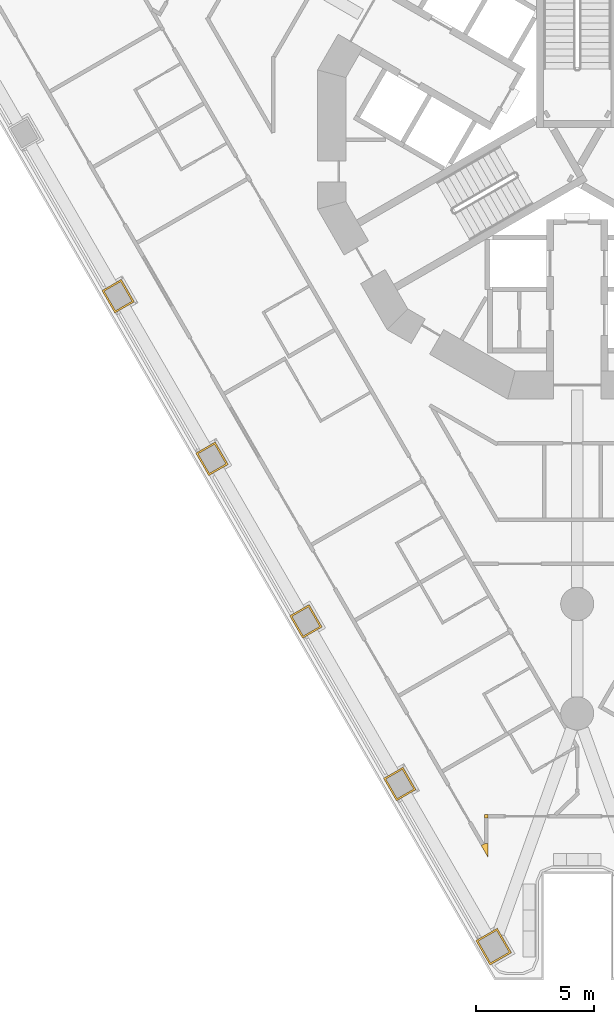
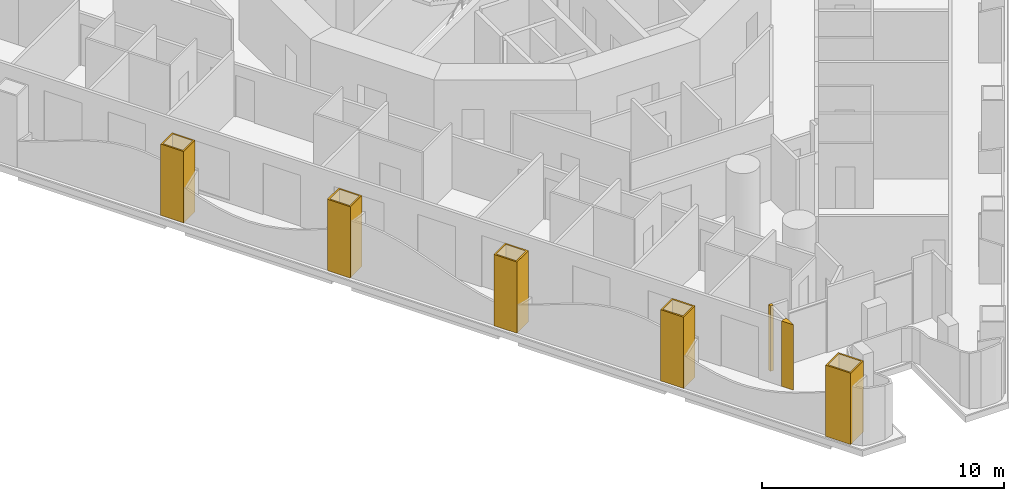
# One storey, part 12 of 20: 7 coverings.
"""IFC4 building model written with IfcOpenShell, lengths in metres."""

from ifc_helpers import new_model, si_unit, direction, frame, origin, place, context, subcontext, project, spatial, polyline, outline, extrude, material, layer, layer_set, type_object, element, save


model = new_model("IFC4")

# Units and contexts
model_context = context("Model", 3, precision=1e-05, world=origin(), true_north=direction((0.0, 1.0)))
body_context = subcontext(model_context, "Body", "Model", "MODEL_VIEW")
ifc_project = project(units=[si_unit("LENGTHUNIT", "METRE"), si_unit("AREAUNIT", "SQUARE_METRE"), si_unit("VOLUMEUNIT", "CUBIC_METRE"), si_unit("PLANEANGLEUNIT", "RADIAN"), si_unit("MASSUNIT", "GRAM", prefix="KILO")], contexts=[model_context])

# Site, building, storey
site_placement = place(None, origin())
site = spatial("IfcSite", under=ifc_project, at=site_placement, CompositionType="ELEMENT")
building_placement = place(site_placement, origin())
building = spatial("IfcBuilding", under=site, at=building_placement, Name="Trine Commons Tower", CompositionType="ELEMENT")
storey_placement = place(building_placement, frame((0.0, 0.0, 35.10009765625)))
storey = spatial("IfcBuildingStorey", under=building, at=storey_placement, Name="L07", CompositionType="ELEMENT", Elevation=35.10009765625)

# Coverings
ifc_material_1 = material(Name="Aluminium-framed insulated wall panel", Category="aluminium")
ifc_layer_1 = layer(ifc_material_1, 0.14990234375)
ifc_layer_set_1 = layer_set([ifc_layer_1], Name="Aluminium-framed insulated wall panel")
covering_type_1 = type_object("IfcCoveringType", Name="Glazing corner post, aluminium", PredefinedType="CLADDING", material=ifc_layer_set_1)
covering_1_placement = place(storey_placement, origin())
element("IfcCovering", 1, at=covering_1_placement, inside=storey, type_object=covering_type_1, Name="Glazing corner post 1-11", PredefinedType="CLADDING", context=body_context, shape_type="SweptSolid", body=[
    extrude(outline(polyline([(76.2099609375, 33.870849609375), (76.06005859375, 33.870849609375), (76.06005859375, 33.720703125), (76.2099609375, 33.720703125), (76.2099609375, 33.870849609375)])), origin(), (0.0, 0.0, 1.0), 3.2998046875),
])
covering_2_placement = place(storey_placement, origin())
element("IfcCovering", 2, at=covering_2_placement, inside=storey, type_object=covering_type_1, Name="Glazing corner post 1-12", PredefinedType="CLADDING", context=body_context, shape_type="SweptSolid", body=[
    extrude(outline(polyline([(75.93017578125, 32.56005859375), (76.2099609375, 32.0751953125), (76.2099609375, 32.635009765625), (76.06005859375, 32.635009765625), (75.93017578125, 32.56005859375)])), origin(), (0.0, 0.0, 1.0), 3.2998046875),
])
ifc_material_2 = material(Name="Limestone, honed", Category="masonry")
ifc_layer_2 = layer(ifc_material_2, 0.074951171875)
ifc_layer_set_2 = layer_set([ifc_layer_2], Name="Limestone, honed")
covering_type_2 = type_object("IfcCoveringType", Name="Limestone column cladding 75", PredefinedType="CLADDING", material=ifc_layer_set_2)
covering_3_placement = place(storey_placement, origin())
element("IfcCovering", 3, at=covering_3_placement, inside=storey, type_object=covering_type_2, Name="Limestone pier cladding 1-01", PredefinedType="CLADDING", context=body_context, shape_type="SweptSolid", body=[
    extrude(outline(polyline([(76.610107421875, 29.052001953125), (75.70068359375, 28.527099609375), (76.30078125, 27.48779296875), (77.210205078125, 28.012939453125), (76.610107421875, 29.052001953125)]), holes=[polyline([(76.582763671875, 28.94970703125), (75.80322265625, 28.499755859375), (76.328369140625, 27.59033203125), (77.107666015625, 28.040283203125), (76.582763671875, 28.94970703125)])]), origin(), (0.0, 0.0, 1.0), 3.599853515625),
])
covering_4_placement = place(storey_placement, origin())
element("IfcCovering", 4, at=covering_4_placement, inside=storey, type_object=covering_type_2, Name="Limestone pier cladding 1-02", PredefinedType="CLADDING", context=body_context, shape_type="SweptSolid", body=[
    extrude(outline(polyline([(72.610107421875, 35.88037109375), (71.787353515625, 35.4052734375), (72.33740234375, 34.45263671875), (73.16015625, 34.927734375), (72.610107421875, 35.88037109375)]), holes=[polyline([(72.582763671875, 35.77783203125), (71.889892578125, 35.3779296875), (72.364990234375, 34.55517578125), (73.0576171875, 34.955078125), (72.582763671875, 35.77783203125)])]), origin(), (0.0, 0.0, 1.0), 3.599853515625),
])
covering_5_placement = place(storey_placement, origin())
element("IfcCovering", 5, at=covering_5_placement, inside=storey, type_object=covering_type_2, Name="Limestone pier cladding 1-03", PredefinedType="CLADDING", context=body_context, shape_type="SweptSolid", body=[
    extrude(outline(polyline([(68.62841796875, 42.77685546875), (67.8056640625, 42.3017578125), (68.355712890625, 41.34912109375), (69.178466796875, 41.82421875), (68.62841796875, 42.77685546875)]), holes=[polyline([(68.60107421875, 42.67431640625), (67.908203125, 42.2744140625), (68.38330078125, 41.45166015625), (69.075927734375, 41.8515625), (68.60107421875, 42.67431640625)])]), origin(), (0.0, 0.0, 1.0), 3.599853515625),
])
covering_6_placement = place(storey_placement, origin())
element("IfcCovering", 6, at=covering_6_placement, inside=storey, type_object=covering_type_2, Name="Limestone pier cladding 1-04", PredefinedType="CLADDING", context=body_context, shape_type="SweptSolid", body=[
    extrude(outline(polyline([(64.64697265625, 49.67333984375), (63.82421875, 49.1982421875), (64.3740234375, 48.24560546875), (65.197021484375, 48.720703125), (64.64697265625, 49.67333984375)]), holes=[polyline([(64.619384765625, 49.57080078125), (63.926513671875, 49.1708984375), (64.401611328125, 48.34814453125), (65.094482421875, 48.748046875), (64.619384765625, 49.57080078125)])]), origin(), (0.0, 0.0, 1.0), 3.599853515625),
])
covering_7_placement = place(storey_placement, origin())
element("IfcCovering", 7, at=covering_7_placement, inside=storey, type_object=covering_type_2, Name="Limestone pier cladding 1-05", PredefinedType="CLADDING", context=body_context, shape_type="SweptSolid", body=[
    extrude(outline(polyline([(60.665283203125, 56.569580078125), (59.84228515625, 56.0947265625), (60.392333984375, 55.14208984375), (61.215087890625, 55.6171875), (60.665283203125, 56.569580078125)]), holes=[polyline([(60.6376953125, 56.46728515625), (59.94482421875, 56.0673828125), (60.419921875, 55.244384765625), (61.11279296875, 55.64453125), (60.6376953125, 56.46728515625)])]), origin(), (0.0, 0.0, 1.0), 3.599853515625),
])

save(model, "model.ifc")
